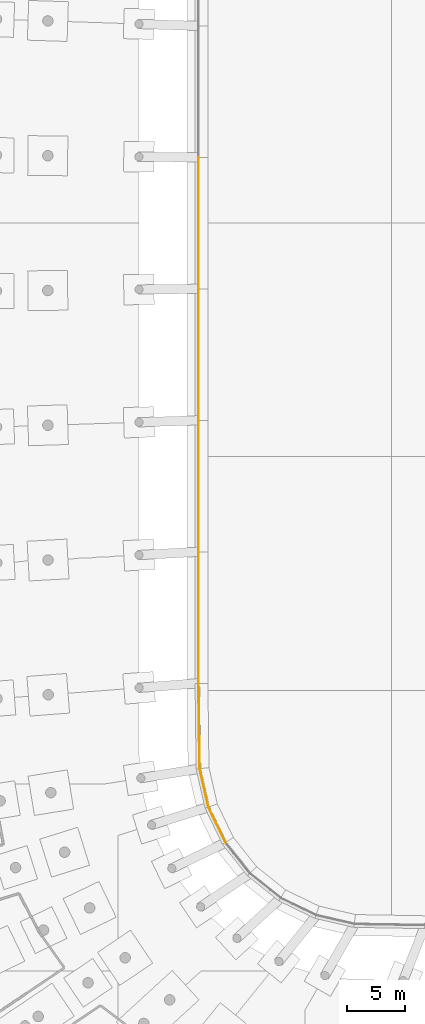
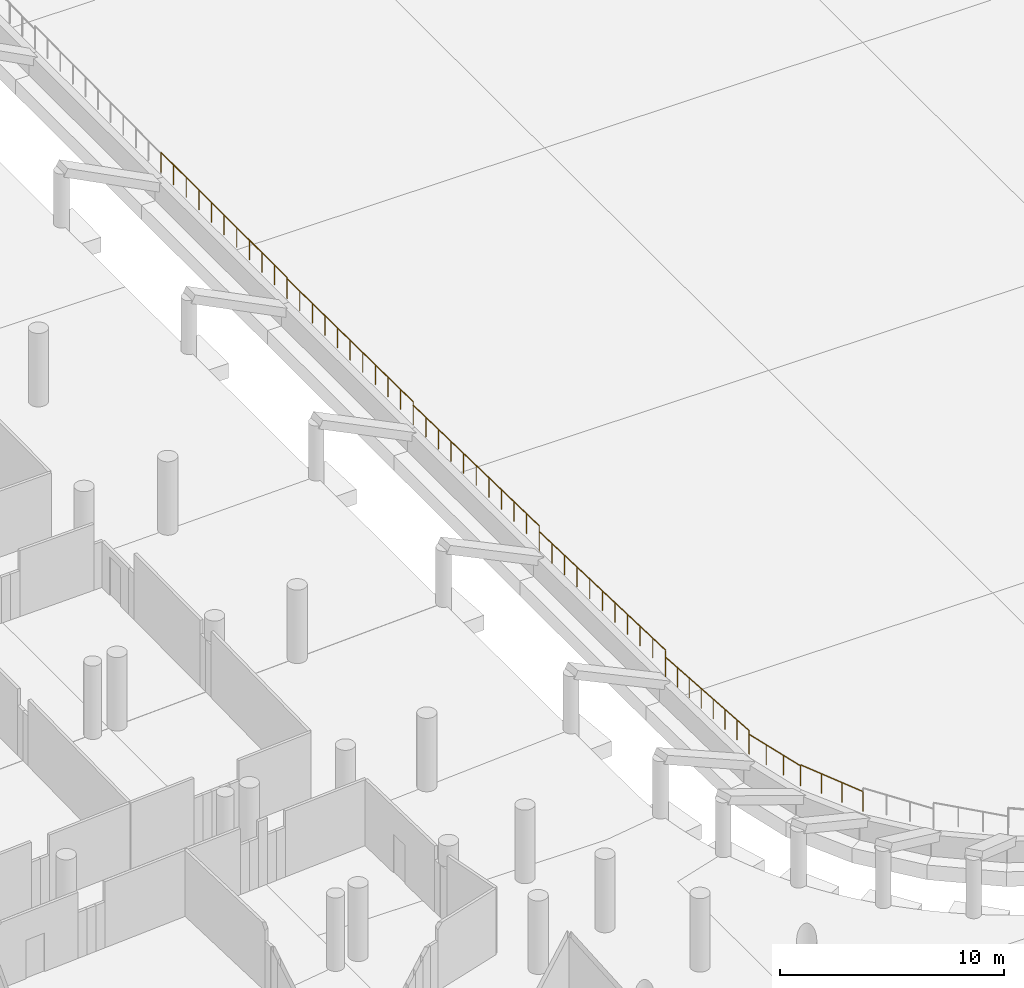
# One storey, part 117 of 142: 7 railings.
"""IFC4 building model written with IfcOpenShell, lengths in metres."""

from ifc_helpers import new_model, si_unit, direction, frame, origin, origin_2d, place, context, subcontext, project, spatial, circle, extrude, material, type_object, element, save


model = new_model("IFC4")

# Units and contexts
model_context = context("Model", 3, precision=1e-05, world=origin(), true_north=direction((0.0, 1.0)))
body_context = subcontext(model_context, "Body", "Model", "MODEL_VIEW")
ifc_project = project(units=[si_unit("LENGTHUNIT", "METRE"), si_unit("AREAUNIT", "SQUARE_METRE"), si_unit("VOLUMEUNIT", "CUBIC_METRE"), si_unit("PLANEANGLEUNIT", "RADIAN"), si_unit("MASSUNIT", "GRAM", prefix="KILO")], contexts=[model_context])

# Site, building, storey
site_placement = place(None, origin())
site = spatial("IfcSite", under=ifc_project, at=site_placement, CompositionType="ELEMENT")
building_placement = place(site_placement, origin())
building = spatial("IfcBuilding", under=site, at=building_placement, Name="Meseta Stadium", CompositionType="ELEMENT")
storey_placement = place(building_placement, frame((0.0, 0.0, -4.0)))
storey = spatial("IfcBuildingStorey", under=building, at=storey_placement, Name="B1", CompositionType="ELEMENT", Elevation=-4.0)

# Railings
ifc_material = material(Name="Steel S355", Category="steel")
railing_type = type_object("IfcRailingType", Name="Stand edge guard 1100", PredefinedType="GUARDRAIL", material=ifc_material)
railing_1_placement = place(storey_placement, frame((-41.10009765625, 5.626220703125, 1.051025390625)))
element("IfcRailing", 1, at=railing_1_placement, inside=storey, type_object=railing_type, Name="Stand lower tier front guard bay 33", PredefinedType="GUARDRAIL", context=body_context, shape_type="SweptSolid", body=[
    extrude(circle(Radius=0.02490234375, at=origin_2d()), frame((0.0, 0.0, 1.0751953125), z_axis=(0.0, -1.0, 0.0), x_axis=(1.0, 0.0, 0.0)), (0.0, 0.0, 1.0), 11.25244140625),
    extrude(circle(Radius=0.02001953125, at=origin_2d()), origin(), (0.0, 0.0, 1.0), 1.050048828125),
    extrude(circle(Radius=0.02001953125, at=origin_2d()), frame((0.0, -1.125244140625, 0.0)), (0.0, 0.0, 1.0), 1.050048828125),
    extrude(circle(Radius=0.02001953125, at=origin_2d()), frame((0.0, -2.25048828125, 0.0)), (0.0, 0.0, 1.0), 1.050048828125),
    extrude(circle(Radius=0.02001953125, at=origin_2d()), frame((0.0, -3.375732421875, 0.0)), (0.0, 0.0, 1.0), 1.050048828125),
    extrude(circle(Radius=0.02001953125, at=origin_2d()), frame((0.0, -4.5009765625, 0.0)), (0.0, 0.0, 1.0), 1.050048828125),
    extrude(circle(Radius=0.02001953125, at=origin_2d()), frame((0.0, -5.626220703125, 0.0)), (0.0, 0.0, 1.0), 1.050048828125),
    extrude(circle(Radius=0.02001953125, at=origin_2d()), frame((0.0, -6.75146484375, 0.0)), (0.0, 0.0, 1.0), 1.050048828125),
    extrude(circle(Radius=0.02001953125, at=origin_2d()), frame((0.0, -7.876708984375, 0.0)), (0.0, 0.0, 1.0), 1.050048828125),
    extrude(circle(Radius=0.02001953125, at=origin_2d()), frame((0.0, -9.001953125, 0.0)), (0.0, 0.0, 1.0), 1.050048828125),
    extrude(circle(Radius=0.02001953125, at=origin_2d()), frame((0.0, -10.127197265625, 0.0)), (0.0, 0.0, 1.0), 1.050048828125),
    extrude(circle(Radius=0.02001953125, at=origin_2d()), frame((0.0, -11.25244140625, 0.0)), (0.0, 0.0, 1.0), 1.050048828125),
])
railing_2_placement = place(storey_placement, frame((-41.10009765625, -5.626220703125, 0.988037109375)))
element("IfcRailing", 2, at=railing_2_placement, inside=storey, type_object=railing_type, Name="Stand lower tier front guard bay 34", PredefinedType="GUARDRAIL", context=body_context, shape_type="SweptSolid", body=[
    extrude(circle(Radius=0.02490234375, at=origin_2d()), frame((0.0, 0.0, 1.0751953125), z_axis=(2.1695791e-05, -0.999937333471, 0.011195028403), x_axis=(0.999999999765, 2.1697151e-05, 0.0)), (0.0, 0.0, 1.0), 11.2529296875),
    extrude(circle(Radius=0.02001953125, at=origin_2d()), origin(), (0.0, 0.0, 1.0), 1.050048828125),
    extrude(circle(Radius=0.02001953125, at=origin_2d()), frame((0.0, -1.125244140625, 0.0126953125)), (0.0, 0.0, 1.0), 1.050048828125),
    extrude(circle(Radius=0.02001953125, at=origin_2d()), frame((0.0, -2.25048828125, 0.025146484375)), (0.0, 0.0, 1.0), 1.050048828125),
    extrude(circle(Radius=0.02001953125, at=origin_2d()), frame((0.0, -3.375732421875, 0.037841796875)), (0.0, 0.0, 1.0), 1.050048828125),
    extrude(circle(Radius=0.02001953125, at=origin_2d()), frame((0.0, -4.5009765625, 0.05029296875)), (0.0, 0.0, 1.0), 1.050048828125),
    extrude(circle(Radius=0.02001953125, at=origin_2d()), frame((0.0, -5.6259765625, 0.06298828125)), (0.0, 0.0, 1.0), 1.050048828125),
    extrude(circle(Radius=0.02001953125, at=origin_2d()), frame((0.000244140625, -6.751220703125, 0.07568359375)), (0.0, 0.0, 1.0), 1.050048828125),
    extrude(circle(Radius=0.02001953125, at=origin_2d()), frame((0.000244140625, -7.87646484375, 0.088134765625)), (0.0, 0.0, 1.0), 1.050048828125),
    extrude(circle(Radius=0.02001953125, at=origin_2d()), frame((0.000244140625, -9.001708984375, 0.100830078125)), (0.0, 0.0, 1.0), 1.050048828125),
    extrude(circle(Radius=0.02001953125, at=origin_2d()), frame((0.000244140625, -10.126953125, 0.11328125)), (0.0, 0.0, 1.0), 1.050048828125),
    extrude(circle(Radius=0.02001953125, at=origin_2d()), frame((0.000244140625, -11.252197265625, 0.1259765625)), (0.0, 0.0, 1.0), 1.050048828125),
])
railing_3_placement = place(storey_placement, frame((-41.099853515625, -16.87841796875, 0.92529296875)))
element("IfcRailing", 3, at=railing_3_placement, inside=storey, type_object=railing_type, Name="Stand lower tier front guard bay 35", PredefinedType="GUARDRAIL", context=body_context, shape_type="SweptSolid", body=[
    extrude(circle(Radius=0.02490234375, at=origin_2d()), frame((0.0, 0.0, 1.0751953125), z_axis=(0.0, -0.999750375479, 0.022342487074), x_axis=(1.0, 0.0, 0.0)), (0.0, 0.0, 1.0), 11.255126953125),
    extrude(circle(Radius=0.02001953125, at=origin_2d()), origin(), (0.0, 0.0, 1.0), 1.050048828125),
    extrude(circle(Radius=0.02001953125, at=origin_2d()), frame((0.0, -1.125244140625, 0.025146484375)), (0.0, 0.0, 1.0), 1.050048828125),
    extrude(circle(Radius=0.02001953125, at=origin_2d()), frame((0.0, -2.25048828125, 0.05029296875)), (0.0, 0.0, 1.0), 1.050048828125),
    extrude(circle(Radius=0.02001953125, at=origin_2d()), frame((0.0, -3.375732421875, 0.075439453125)), (0.0, 0.0, 1.0), 1.050048828125),
    extrude(circle(Radius=0.02001953125, at=origin_2d()), frame((0.0, -4.5009765625, 0.1005859375)), (0.0, 0.0, 1.0), 1.050048828125),
    extrude(circle(Radius=0.02001953125, at=origin_2d()), frame((0.0, -5.6259765625, 0.125732421875)), (0.0, 0.0, 1.0), 1.050048828125),
    extrude(circle(Radius=0.02001953125, at=origin_2d()), frame((0.0, -6.751220703125, 0.15087890625)), (0.0, 0.0, 1.0), 1.050048828125),
    extrude(circle(Radius=0.02001953125, at=origin_2d()), frame((0.0, -7.87646484375, 0.176025390625)), (0.0, 0.0, 1.0), 1.050048828125),
    extrude(circle(Radius=0.02001953125, at=origin_2d()), frame((0.0, -9.001708984375, 0.201171875)), (0.0, 0.0, 1.0), 1.050048828125),
    extrude(circle(Radius=0.02001953125, at=origin_2d()), frame((0.0, -10.126953125, 0.226318359375)), (0.0, 0.0, 1.0), 1.050048828125),
    extrude(circle(Radius=0.02001953125, at=origin_2d()), frame((0.0, -11.252197265625, 0.25146484375)), (0.0, 0.0, 1.0), 1.050048828125),
])
railing_4_placement = place(storey_placement, frame((-41.099853515625, -28.130615234375, 0.86279296875)))
element("IfcRailing", 4, at=railing_4_placement, inside=storey, type_object=railing_type, Name="Stand lower tier front guard bay 36", PredefinedType="GUARDRAIL", context=body_context, shape_type="SweptSolid", body=[
    extrude(circle(Radius=0.02490234375, at=origin_2d()), frame((0.0, 0.0, 1.0751953125), z_axis=(2.1685018e-05, -0.999440783537, 0.033438297386), x_axis=(0.999999999765, 2.1697151e-05, 0.0)), (0.0, 0.0, 1.0), 11.258544921875),
    extrude(circle(Radius=0.02001953125, at=origin_2d()), origin(), (0.0, 0.0, 1.0), 1.050048828125),
    extrude(circle(Radius=0.02001953125, at=origin_2d()), frame((0.0, -1.125244140625, 0.03759765625)), (0.0, 0.0, 1.0), 1.050048828125),
    extrude(circle(Radius=0.02001953125, at=origin_2d()), frame((0.0, -2.25048828125, 0.0751953125)), (0.0, 0.0, 1.0), 1.050048828125),
    extrude(circle(Radius=0.02001953125, at=origin_2d()), frame((0.0, -3.375732421875, 0.113037109375)), (0.0, 0.0, 1.0), 1.050048828125),
    extrude(circle(Radius=0.02001953125, at=origin_2d()), frame((0.0, -4.5009765625, 0.150634765625)), (0.0, 0.0, 1.0), 1.050048828125),
    extrude(circle(Radius=0.02001953125, at=origin_2d()), frame((0.0, -5.6259765625, 0.188232421875)), (0.0, 0.0, 1.0), 1.050048828125),
    extrude(circle(Radius=0.02001953125, at=origin_2d()), frame((0.000244140625, -6.751220703125, 0.225830078125)), (0.0, 0.0, 1.0), 1.050048828125),
    extrude(circle(Radius=0.02001953125, at=origin_2d()), frame((0.000244140625, -7.87646484375, 0.263427734375)), (0.0, 0.0, 1.0), 1.050048828125),
    extrude(circle(Radius=0.02001953125, at=origin_2d()), frame((0.000244140625, -9.001708984375, 0.30126953125)), (0.0, 0.0, 1.0), 1.050048828125),
    extrude(circle(Radius=0.02001953125, at=origin_2d()), frame((0.000244140625, -10.126953125, 0.3388671875)), (0.0, 0.0, 1.0), 1.050048828125),
    extrude(circle(Radius=0.02001953125, at=origin_2d()), frame((0.000244140625, -11.252197265625, 0.37646484375)), (0.0, 0.0, 1.0), 1.050048828125),
])
railing_5_placement = place(storey_placement, frame((-41.099609375, -39.3828125, 0.85498046875)))
element("IfcRailing", 5, at=railing_5_placement, inside=storey, type_object=railing_type, Name="Stand lower tier front guard bay 37", PredefinedType="GUARDRAIL", context=body_context, shape_type="SweptSolid", body=[
    extrude(circle(Radius=0.02490234375, at=origin_2d()), frame((0.0, 0.0, 1.0751953125), z_axis=(0.01300108037, -0.99848297239, 0.053504446137), x_axis=(0.999915239727, 0.013019729684, 0.0)), (0.0, 0.0, 1.0), 7.32373046875),
    extrude(circle(Radius=0.02001953125, at=origin_2d()), origin(), (0.0, 0.0, 1.0), 1.050048828125),
    extrude(circle(Radius=0.02001953125, at=origin_2d()), frame((0.013671875, -1.044677734375, 0.055908203125)), (0.0, 0.0, 1.0), 1.050048828125),
    extrude(circle(Radius=0.02001953125, at=origin_2d()), frame((0.027099609375, -2.08935546875, 0.112060546875)), (0.0, 0.0, 1.0), 1.050048828125),
    extrude(circle(Radius=0.02001953125, at=origin_2d()), frame((0.040771484375, -3.134033203125, 0.16796875)), (0.0, 0.0, 1.0), 1.050048828125),
    extrude(circle(Radius=0.02001953125, at=origin_2d()), frame((0.054443359375, -4.178466796875, 0.223876953125)), (0.0, 0.0, 1.0), 1.050048828125),
    extrude(circle(Radius=0.02001953125, at=origin_2d()), frame((0.068115234375, -5.22314453125, 0.27978515625)), (0.0, 0.0, 1.0), 1.050048828125),
    extrude(circle(Radius=0.02001953125, at=origin_2d()), frame((0.08154296875, -6.267822265625, 0.3359375)), (0.0, 0.0, 1.0), 1.050048828125),
    extrude(circle(Radius=0.02001953125, at=origin_2d()), frame((0.09521484375, -7.3125, 0.391845703125)), (0.0, 0.0, 1.0), 1.050048828125),
])
railing_6_placement = place(storey_placement, frame((-41.00439453125, -46.6953125, 1.04443359375)))
element("IfcRailing", 6, at=railing_6_placement, inside=storey, type_object=railing_type, Name="Stand lower tier front guard bay 38", PredefinedType="GUARDRAIL", context=body_context, shape_type="SweptSolid", body=[
    extrude(circle(Radius=0.02490234375, at=origin_2d()), frame((0.0, 0.0, 1.0751953125), z_axis=(0.222542206518, -0.974915793172, 0.003763315362), x_axis=(0.974922696888, 0.222543782416, 0.0)), (0.0, 0.0, 1.0), 3.37353515625),
    extrude(circle(Radius=0.02001953125, at=origin_2d()), origin(), (0.0, 0.0, 1.0), 1.050048828125),
    extrude(circle(Radius=0.02001953125, at=origin_2d()), frame((0.250244140625, -1.09619140625, 0.004150390625)), (0.0, 0.0, 1.0), 1.050048828125),
    extrude(circle(Radius=0.02001953125, at=origin_2d()), frame((0.50048828125, -2.192626953125, 0.008544921875)), (0.0, 0.0, 1.0), 1.050048828125),
    extrude(circle(Radius=0.02001953125, at=origin_2d()), frame((0.750732421875, -3.288818359375, 0.0126953125)), (0.0, 0.0, 1.0), 1.050048828125),
])
railing_7_placement = place(storey_placement, frame((-40.253662109375, -49.984130859375, 1.113525390625)))
element("IfcRailing", 7, at=railing_7_placement, inside=storey, type_object=railing_type, Name="Stand lower tier front guard bay 39", PredefinedType="GUARDRAIL", context=body_context, shape_type="SweptSolid", body=[
    extrude(circle(Radius=0.02490234375, at=origin_2d()), frame((0.0, 0.0, 1.0751953125), z_axis=(0.433314642165, -0.900478600393, -0.037104057992), x_axis=(0.901099090594, 0.43361322504, 0.0)), (0.0, 0.0, 1.0), 3.37548828125),
    extrude(circle(Radius=0.02001953125, at=origin_2d()), origin(), (0.0, 0.0, 1.0), 1.050048828125),
    extrude(circle(Radius=0.02001953125, at=origin_2d()), frame((0.487548828125, -1.01318359375, -0.041748046875)), (0.0, 0.0, 1.0), 1.050048828125),
    extrude(circle(Radius=0.02001953125, at=origin_2d()), frame((0.97509765625, -2.0263671875, -0.08349609375)), (0.0, 0.0, 1.0), 1.050048828125),
    extrude(circle(Radius=0.02001953125, at=origin_2d()), frame((1.462646484375, -3.03955078125, -0.125244140625)), (0.0, 0.0, 1.0), 1.050048828125),
])

save(model, "model.ifc")
